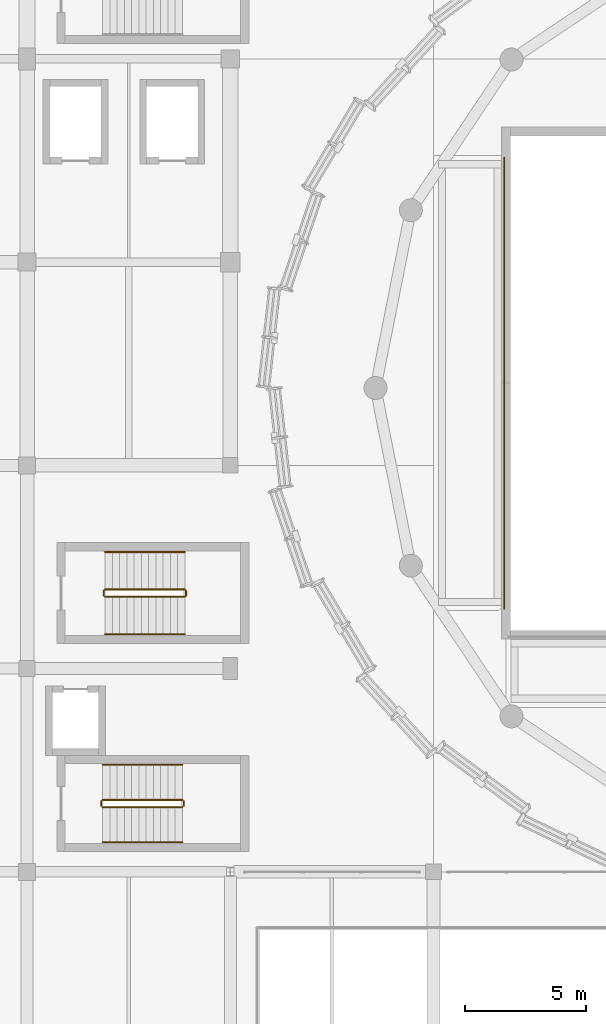
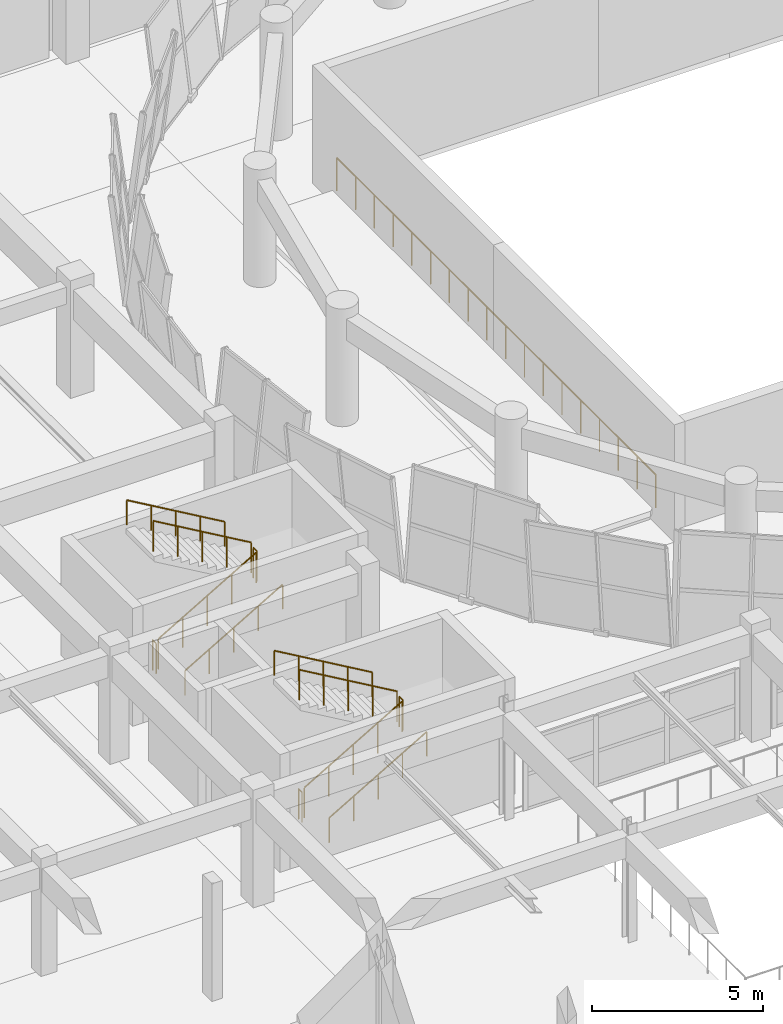
# One storey, part 62 of 71: 13 railings.
"""IFC4 building model written with IfcOpenShell, lengths in metres."""

from ifc_helpers import new_model, si_unit, direction, frame, origin, origin_2d, place, context, subcontext, project, spatial, circle, extrude, material, type_object, element, save


model = new_model("IFC4")

# Units and contexts
model_context = context("Model", 3, precision=1e-05, world=origin(), true_north=direction((0.0, 1.0)))
body_context = subcontext(model_context, "Body", "Model", "MODEL_VIEW")
ifc_project = project(units=[si_unit("LENGTHUNIT", "METRE"), si_unit("AREAUNIT", "SQUARE_METRE"), si_unit("VOLUMEUNIT", "CUBIC_METRE"), si_unit("PLANEANGLEUNIT", "RADIAN"), si_unit("MASSUNIT", "GRAM", prefix="KILO")], contexts=[model_context])

# Site, building, storey
site_placement = place(None, origin())
site = spatial("IfcSite", under=ifc_project, at=site_placement, CompositionType="ELEMENT")
building_placement = place(site_placement, origin())
building = spatial("IfcBuilding", under=site, at=building_placement, Name="Korsvaeld Concert Hall", CompositionType="ELEMENT")
storey_placement = place(building_placement, frame((0.0, 0.0, 4.800048828125)))
storey = spatial("IfcBuildingStorey", under=building, at=storey_placement, Name="L01", CompositionType="ELEMENT", Elevation=4.800048828125)

# Railings
ifc_material_1 = material(Name="Powder-coated steel and bronze stair guardrail", Category="steel")
railing_type_1 = type_object("IfcRailingType", Name="RL-STAIR-GUARD-120", PredefinedType="GUARDRAIL", material=ifc_material_1)
railing_1_placement = place(storey_placement, frame((53.52001953125, 45.8701171875, 0.175048828125)))
element("IfcRailing", 1, at=railing_1_placement, inside=storey, type_object=railing_type_1, Name="L01 ST-K3 stair guard 1", PredefinedType="GUARDRAIL", context=body_context, shape_type="SweptSolid", body=[
    extrude(circle(Radius=0.02392578125, at=origin_2d()), frame((0.0, 0.0, 1.076171875), z_axis=(0.863804395585, 0.0, 0.503827317807), x_axis=(0.0, 1.0, 0.0)), (0.0, 0.0, 1.0), 3.8203125),
    extrude(circle(Radius=0.02099609375, at=origin_2d()), origin(), (0.0, 0.0, 1.0), 1.052001953125),
    extrude(circle(Radius=0.02099609375, at=origin_2d()), frame((0.824951171875, 0.0, 0.481201171875)), (0.0, 0.0, 1.0), 1.052001953125),
    extrude(circle(Radius=0.02099609375, at=origin_2d()), frame((1.64990234375, 0.0, 0.96240234375)), (0.0, 0.0, 1.0), 1.052001953125),
    extrude(circle(Radius=0.02099609375, at=origin_2d()), frame((2.47509765625, 0.0, 1.443603515625)), (0.0, 0.0, 1.0), 1.052001953125),
    extrude(circle(Radius=0.02099609375, at=origin_2d()), frame((3.300048828125, 0.0, 1.9248046875)), (0.0, 0.0, 1.0), 1.052001953125),
])
railing_2_placement = place(storey_placement, frame((56.8701171875, 45.919921875, 2.099853515625)))
element("IfcRailing", 2, at=railing_2_placement, inside=storey, type_object=railing_type_1, Name="L01 ST-K3 stair guard 2", PredefinedType="GUARDRAIL", context=body_context, shape_type="SweptSolid", body=[
    extrude(circle(Radius=0.02392578125, at=origin_2d()), frame((0.0, 0.0, 1.076171875), z_axis=(0.0, 1.0, 0.0), x_axis=(-1.0, 0.0, 0.0)), (0.0, 0.0, 1.0), 0.2001953125),
    extrude(circle(Radius=0.02099609375, at=origin_2d()), origin(), (0.0, 0.0, 1.0), 1.052001953125),
    extrude(circle(Radius=0.02099609375, at=origin_2d()), frame((0.0, 0.2001953125, 0.0)), (0.0, 0.0, 1.0), 1.052001953125),
])
railing_3_placement = place(storey_placement, frame((56.820068359375, 46.169921875, 2.27490234375)))
element("IfcRailing", 3, at=railing_3_placement, inside=storey, type_object=railing_type_1, Name="L01 ST-K3 stair guard 3", PredefinedType="GUARDRAIL", context=body_context, shape_type="SweptSolid", body=[
    extrude(circle(Radius=0.02392578125, at=origin_2d()), frame((0.0, 0.0, 1.076171875), z_axis=(-0.863776583165, 0.0, 0.503874998761), x_axis=(0.0, -1.0, 0.0)), (0.0, 0.0, 1.0), 3.820556640625),
    extrude(circle(Radius=0.02099609375, at=origin_2d()), origin(), (0.0, 0.0, 1.0), 1.052001953125),
    extrude(circle(Radius=0.02099609375, at=origin_2d()), frame((-0.824951171875, 0.0, 0.481201171875)), (0.0, 0.0, 1.0), 1.052001953125),
    extrude(circle(Radius=0.02099609375, at=origin_2d()), frame((-1.64990234375, 0.0, 0.96240234375)), (0.0, 0.0, 1.0), 1.052001953125),
    extrude(circle(Radius=0.02099609375, at=origin_2d()), frame((-2.47509765625, 0.0, 1.44384765625)), (0.0, 0.0, 1.0), 1.052001953125),
    extrude(circle(Radius=0.02099609375, at=origin_2d()), frame((-3.300048828125, 0.0, 1.925048828125)), (0.0, 0.0, 1.0), 1.052001953125),
])
railing_4_placement = place(storey_placement, frame((53.469970703125, 45.919921875, 0.0)))
element("IfcRailing", 4, at=railing_4_placement, inside=storey, type_object=railing_type_1, Name="L01 ST-K3 stair guard 4", PredefinedType="GUARDRAIL", context=body_context, shape_type="SweptSolid", body=[
    extrude(circle(Radius=0.02392578125, at=origin_2d()), frame((0.0, 0.0, 1.076171875), z_axis=(0.0, 1.0, 0.0), x_axis=(-1.0, 0.0, 0.0)), (0.0, 0.0, 1.0), 0.2001953125),
    extrude(circle(Radius=0.02099609375, at=origin_2d()), origin(), (0.0, 0.0, 1.0), 1.052001953125),
    extrude(circle(Radius=0.02099609375, at=origin_2d()), frame((0.0, 0.2001953125, 0.0)), (0.0, 0.0, 1.0), 1.052001953125),
])
railing_5_placement = place(storey_placement, frame((53.6201171875, 54.570068359375, 0.175048828125)))
element("IfcRailing", 5, at=railing_5_placement, inside=storey, type_object=railing_type_1, Name="L01 ST-F1 stair guard 1", PredefinedType="GUARDRAIL", context=body_context, shape_type="SweptSolid", body=[
    extrude(circle(Radius=0.02392578125, at=origin_2d()), frame((0.0, 0.0, 1.076171875), z_axis=(0.863788172461, 0.0, 0.503855131081), x_axis=(0.0, 1.0, 0.0)), (0.0, 0.0, 1.0), 3.820068359375),
    extrude(circle(Radius=0.02099609375, at=origin_2d()), origin(), (0.0, 0.0, 1.0), 1.052001953125),
    extrude(circle(Radius=0.02099609375, at=origin_2d()), frame((0.824951171875, 0.0, 0.481201171875)), (0.0, 0.0, 1.0), 1.052001953125),
    extrude(circle(Radius=0.02099609375, at=origin_2d()), frame((1.64990234375, 0.0, 0.96240234375)), (0.0, 0.0, 1.0), 1.052001953125),
    extrude(circle(Radius=0.02099609375, at=origin_2d()), frame((2.474853515625, 0.0, 1.443603515625)), (0.0, 0.0, 1.0), 1.052001953125),
    extrude(circle(Radius=0.02099609375, at=origin_2d()), frame((3.2998046875, 0.0, 1.9248046875)), (0.0, 0.0, 1.0), 1.052001953125),
])
railing_6_placement = place(storey_placement, frame((56.969970703125, 54.6201171875, 2.099853515625)))
element("IfcRailing", 6, at=railing_6_placement, inside=storey, type_object=railing_type_1, Name="L01 ST-F1 stair guard 2", PredefinedType="GUARDRAIL", context=body_context, shape_type="SweptSolid", body=[
    extrude(circle(Radius=0.02392578125, at=origin_2d()), frame((0.0, 0.0, 1.076171875), z_axis=(0.0, 1.0, 0.0), x_axis=(-1.0, 0.0, 0.0)), (0.0, 0.0, 1.0), 0.199951171875),
    extrude(circle(Radius=0.02099609375, at=origin_2d()), origin(), (0.0, 0.0, 1.0), 1.052001953125),
    extrude(circle(Radius=0.02099609375, at=origin_2d()), frame((0.0, 0.199951171875, 0.0)), (0.0, 0.0, 1.0), 1.052001953125),
])
railing_7_placement = place(storey_placement, frame((56.919921875, 54.8701171875, 2.27490234375)))
element("IfcRailing", 7, at=railing_7_placement, inside=storey, type_object=railing_type_1, Name="L01 ST-F1 stair guard 3", PredefinedType="GUARDRAIL", context=body_context, shape_type="SweptSolid", body=[
    extrude(circle(Radius=0.02392578125, at=origin_2d()), frame((0.0, 0.0, 1.076171875), z_axis=(-0.863760357493, 0.0, 0.503902812876), x_axis=(0.0, -1.0, 0.0)), (0.0, 0.0, 1.0), 3.8203125),
    extrude(circle(Radius=0.02099609375, at=origin_2d()), origin(), (0.0, 0.0, 1.0), 1.052001953125),
    extrude(circle(Radius=0.02099609375, at=origin_2d()), frame((-0.824951171875, 0.0, 0.481201171875)), (0.0, 0.0, 1.0), 1.052001953125),
    extrude(circle(Radius=0.02099609375, at=origin_2d()), frame((-1.64990234375, 0.0, 0.96240234375)), (0.0, 0.0, 1.0), 1.052001953125),
    extrude(circle(Radius=0.02099609375, at=origin_2d()), frame((-2.474853515625, 0.0, 1.44384765625)), (0.0, 0.0, 1.0), 1.052001953125),
    extrude(circle(Radius=0.02099609375, at=origin_2d()), frame((-3.2998046875, 0.0, 1.925048828125)), (0.0, 0.0, 1.0), 1.052001953125),
])
railing_8_placement = place(storey_placement, frame((53.570068359375, 54.6201171875, 0.0)))
element("IfcRailing", 8, at=railing_8_placement, inside=storey, type_object=railing_type_1, Name="L01 ST-F1 stair guard 4", PredefinedType="GUARDRAIL", context=body_context, shape_type="SweptSolid", body=[
    extrude(circle(Radius=0.02392578125, at=origin_2d()), frame((0.0, 0.0, 1.076171875), z_axis=(0.0, 1.0, 0.0), x_axis=(-1.0, 0.0, 0.0)), (0.0, 0.0, 1.0), 0.199951171875),
    extrude(circle(Radius=0.02099609375, at=origin_2d()), origin(), (0.0, 0.0, 1.0), 1.052001953125),
    extrude(circle(Radius=0.02099609375, at=origin_2d()), frame((0.0, 0.199951171875, 0.0)), (0.0, 0.0, 1.0), 1.052001953125),
])
ifc_material_2 = material(Name="European oak and bronze stair handrail")
railing_type_2 = type_object("IfcRailingType", Name="RL-STAIR-HAND-90", PredefinedType="HANDRAIL", material=ifc_material_2)
railing_9_placement = place(storey_placement, frame((53.52001953125, 44.419921875, 0.175048828125)))
element("IfcRailing", 9, at=railing_9_placement, inside=storey, type_object=railing_type_2, Name="L01 ST-K3 stair handrail 1", PredefinedType="HANDRAIL", context=body_context, shape_type="SweptSolid", body=[
    extrude(circle(Radius=0.02392578125, at=origin_2d()), frame((0.0, 0.0, 0.8759765625), z_axis=(0.863804395585, 0.0, 0.503827317807), x_axis=(0.0, 1.0, 0.0)), (0.0, 0.0, 1.0), 3.8203125),
    extrude(circle(Radius=0.02099609375, at=origin_2d()), origin(), (0.0, 0.0, 1.0), 0.851806640625),
    extrude(circle(Radius=0.02099609375, at=origin_2d()), frame((0.824951171875, 0.0, 0.481201171875)), (0.0, 0.0, 1.0), 0.851806640625),
    extrude(circle(Radius=0.02099609375, at=origin_2d()), frame((1.64990234375, 0.0, 0.96240234375)), (0.0, 0.0, 1.0), 0.851806640625),
    extrude(circle(Radius=0.02099609375, at=origin_2d()), frame((2.47509765625, 0.0, 1.443603515625)), (0.0, 0.0, 1.0), 0.851806640625),
    extrude(circle(Radius=0.02099609375, at=origin_2d()), frame((3.300048828125, 0.0, 1.9248046875)), (0.0, 0.0, 1.0), 0.851806640625),
])
railing_10_placement = place(storey_placement, frame((56.820068359375, 47.6201171875, 2.27490234375)))
element("IfcRailing", 10, at=railing_10_placement, inside=storey, type_object=railing_type_2, Name="L01 ST-K3 stair handrail 2", PredefinedType="HANDRAIL", context=body_context, shape_type="SweptSolid", body=[
    extrude(circle(Radius=0.02392578125, at=origin_2d()), frame((0.0, 0.0, 0.8759765625), z_axis=(-0.863776583165, 0.0, 0.503874998761), x_axis=(0.0, -1.0, 0.0)), (0.0, 0.0, 1.0), 3.820556640625),
    extrude(circle(Radius=0.02099609375, at=origin_2d()), origin(), (0.0, 0.0, 1.0), 0.851806640625),
    extrude(circle(Radius=0.02099609375, at=origin_2d()), frame((-0.824951171875, 0.0, 0.481201171875)), (0.0, 0.0, 1.0), 0.851806640625),
    extrude(circle(Radius=0.02099609375, at=origin_2d()), frame((-1.64990234375, 0.0, 0.96240234375)), (0.0, 0.0, 1.0), 0.851806640625),
    extrude(circle(Radius=0.02099609375, at=origin_2d()), frame((-2.47509765625, 0.0, 1.44384765625)), (0.0, 0.0, 1.0), 0.851806640625),
    extrude(circle(Radius=0.02099609375, at=origin_2d()), frame((-3.300048828125, 0.0, 1.925048828125)), (0.0, 0.0, 1.0), 0.851806640625),
])
railing_11_placement = place(storey_placement, frame((53.6201171875, 53.02001953125, 0.175048828125)))
element("IfcRailing", 11, at=railing_11_placement, inside=storey, type_object=railing_type_2, Name="L01 ST-F1 stair handrail 1", PredefinedType="HANDRAIL", context=body_context, shape_type="SweptSolid", body=[
    extrude(circle(Radius=0.02392578125, at=origin_2d()), frame((0.0, 0.0, 0.8759765625), z_axis=(0.863788172461, 0.0, 0.503855131081), x_axis=(0.0, 1.0, 0.0)), (0.0, 0.0, 1.0), 3.820068359375),
    extrude(circle(Radius=0.02099609375, at=origin_2d()), origin(), (0.0, 0.0, 1.0), 0.851806640625),
    extrude(circle(Radius=0.02099609375, at=origin_2d()), frame((0.824951171875, 0.0, 0.481201171875)), (0.0, 0.0, 1.0), 0.851806640625),
    extrude(circle(Radius=0.02099609375, at=origin_2d()), frame((1.64990234375, 0.0, 0.96240234375)), (0.0, 0.0, 1.0), 0.851806640625),
    extrude(circle(Radius=0.02099609375, at=origin_2d()), frame((2.474853515625, 0.0, 1.443603515625)), (0.0, 0.0, 1.0), 0.851806640625),
    extrude(circle(Radius=0.02099609375, at=origin_2d()), frame((3.2998046875, 0.0, 1.9248046875)), (0.0, 0.0, 1.0), 0.851806640625),
])
railing_12_placement = place(storey_placement, frame((56.919921875, 56.419921875, 2.27490234375)))
element("IfcRailing", 12, at=railing_12_placement, inside=storey, type_object=railing_type_2, Name="L01 ST-F1 stair handrail 2", PredefinedType="HANDRAIL", context=body_context, shape_type="SweptSolid", body=[
    extrude(circle(Radius=0.02392578125, at=origin_2d()), frame((0.0, 0.0, 0.8759765625), z_axis=(-0.863760357493, 0.0, 0.503902812876), x_axis=(0.0, -1.0, 0.0)), (0.0, 0.0, 1.0), 3.8203125),
    extrude(circle(Radius=0.02099609375, at=origin_2d()), origin(), (0.0, 0.0, 1.0), 0.851806640625),
    extrude(circle(Radius=0.02099609375, at=origin_2d()), frame((-0.824951171875, 0.0, 0.481201171875)), (0.0, 0.0, 1.0), 0.851806640625),
    extrude(circle(Radius=0.02099609375, at=origin_2d()), frame((-1.64990234375, 0.0, 0.96240234375)), (0.0, 0.0, 1.0), 0.851806640625),
    extrude(circle(Radius=0.02099609375, at=origin_2d()), frame((-2.474853515625, 0.0, 1.44384765625)), (0.0, 0.0, 1.0), 0.851806640625),
    extrude(circle(Radius=0.02099609375, at=origin_2d()), frame((-3.2998046875, 0.0, 1.925048828125)), (0.0, 0.0, 1.0), 0.851806640625),
])
ifc_material_3 = material(Name="Acoustic laminated glass and oak auditorium balustrade", Category="glass")
railing_type_3 = type_object("IfcRailingType", Name="RL-VOID-BAL-120", PredefinedType="BALUSTRADE", material=ifc_material_3)
railing_13_placement = place(storey_placement, frame((70.1201171875, 54.080078125, 0.449951171875)))
element("IfcRailing", 13, at=railing_13_placement, inside=storey, type_object=railing_type_3, Name="Auditorium acoustic balustrade V1-CIRC1-W", PredefinedType="BALUSTRADE", context=body_context, shape_type="SweptSolid", body=[
    extrude(circle(Radius=0.02392578125, at=origin_2d()), frame((0.0, 0.0, 1.17578125), z_axis=(0.0, 1.0, 0.0), x_axis=(-1.0, 0.0, 0.0)), (0.0, 0.0, 1.0), 18.639892578125),
    extrude(circle(Radius=0.02099609375, at=origin_2d()), origin(), (0.0, 0.0, 1.0), 1.15185546875),
    extrude(circle(Radius=0.02099609375, at=origin_2d()), frame((0.0, 1.096435546875, 0.0)), (0.0, 0.0, 1.0), 1.15185546875),
    extrude(circle(Radius=0.02099609375, at=origin_2d()), frame((0.0, 2.19287109375, 0.0)), (0.0, 0.0, 1.0), 1.15185546875),
    extrude(circle(Radius=0.02099609375, at=origin_2d()), frame((0.0, 3.289306640625, 0.0)), (0.0, 0.0, 1.0), 1.15185546875),
    extrude(circle(Radius=0.02099609375, at=origin_2d()), frame((0.0, 4.3857421875, 0.0)), (0.0, 0.0, 1.0), 1.15185546875),
    extrude(circle(Radius=0.02099609375, at=origin_2d()), frame((0.0, 5.482421875, 0.0)), (0.0, 0.0, 1.0), 1.15185546875),
    extrude(circle(Radius=0.02099609375, at=origin_2d()), frame((0.0, 6.578857421875, 0.0)), (0.0, 0.0, 1.0), 1.15185546875),
    extrude(circle(Radius=0.02099609375, at=origin_2d()), frame((0.0, 7.67529296875, 0.0)), (0.0, 0.0, 1.0), 1.15185546875),
    extrude(circle(Radius=0.02099609375, at=origin_2d()), frame((0.0, 8.771728515625, 0.0)), (0.0, 0.0, 1.0), 1.15185546875),
    extrude(circle(Radius=0.02099609375, at=origin_2d()), frame((0.0, 9.8681640625, 0.0)), (0.0, 0.0, 1.0), 1.15185546875),
    extrude(circle(Radius=0.02099609375, at=origin_2d()), frame((0.0, 10.964599609375, 0.0)), (0.0, 0.0, 1.0), 1.15185546875),
    extrude(circle(Radius=0.02099609375, at=origin_2d()), frame((0.0, 12.06103515625, 0.0)), (0.0, 0.0, 1.0), 1.15185546875),
    extrude(circle(Radius=0.02099609375, at=origin_2d()), frame((0.0, 13.157470703125, 0.0)), (0.0, 0.0, 1.0), 1.15185546875),
    extrude(circle(Radius=0.02099609375, at=origin_2d()), frame((0.0, 14.254150390625, 0.0)), (0.0, 0.0, 1.0), 1.15185546875),
    extrude(circle(Radius=0.02099609375, at=origin_2d()), frame((0.0, 15.3505859375, 0.0)), (0.0, 0.0, 1.0), 1.15185546875),
    extrude(circle(Radius=0.02099609375, at=origin_2d()), frame((0.0, 16.447021484375, 0.0)), (0.0, 0.0, 1.0), 1.15185546875),
    extrude(circle(Radius=0.02099609375, at=origin_2d()), frame((0.0, 17.54345703125, 0.0)), (0.0, 0.0, 1.0), 1.15185546875),
    extrude(circle(Radius=0.02099609375, at=origin_2d()), frame((0.0, 18.639892578125, 0.0)), (0.0, 0.0, 1.0), 1.15185546875),
])

save(model, "model.ifc")
